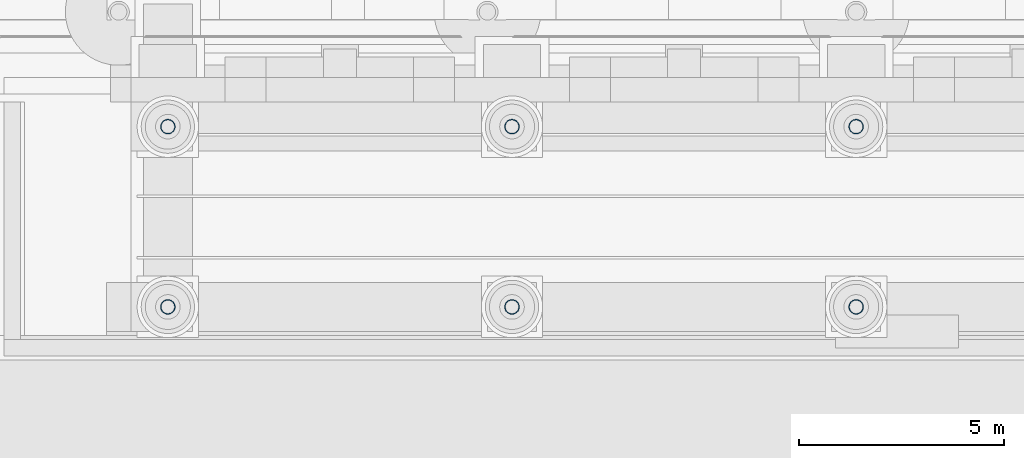
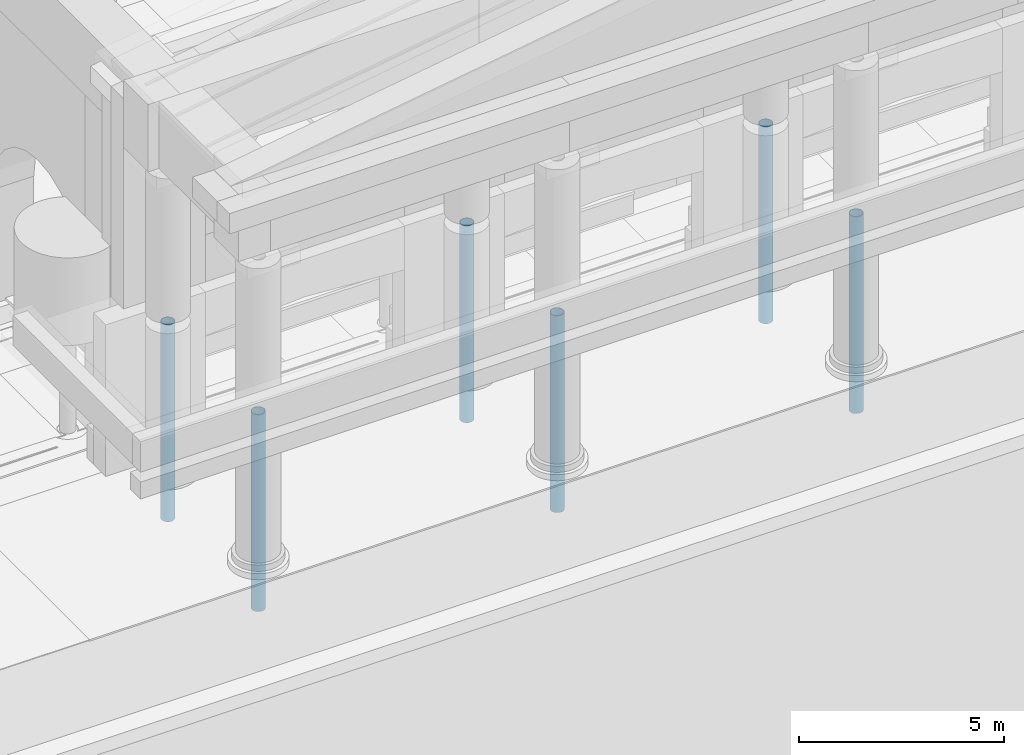
# One storey, part 8 of 222: 6 columns.
"""IFC4 building model written with IfcOpenShell, lengths in metres."""

import ifcopenshell
import ifcopenshell.guid

model = None  # the IFC model being written
_history = None  # IfcOwnerHistory: only IFC2X3 demands one
_inside = {}  # id of a spatial element -> (the spatial element, [elements in it])
_under = {}  # id of a project, library or spatial element -> (it, [spatial elements below it])
_declared = {}  # id of a project -> (the project, [libraries it declares])
_typed = {}  # id of a type object -> (the type object, [elements of that type])
_made_of = {}  # id of a material, layer set ... -> (it, [elements and type objects made of it])


def new_model(schema):
    """Start an empty IFC model of exactly this schema.

    Asked for "IFC4X3", IfcOpenShell would pick the latest addendum, in which some entities
    have other attributes; the version numbers below select the first issue.
    IFC2X3 requires an IfcOwnerHistory on every rooted entity: one is made here for all.
    """
    global model, _history
    if schema == "IFC4X3":
        model = ifcopenshell.file(schema_version=(4, 3, 0, 0))
    else:
        model = ifcopenshell.file(schema=schema)
    _inside.clear()
    _under.clear()
    _declared.clear()
    _typed.clear()
    _made_of.clear()
    _history = None
    if model.schema == "IFC2X3":
        org = make("IfcOrganization", Name="unknown")
        user = make(
            "IfcPersonAndOrganization",
            ThePerson=make("IfcPerson", FamilyName="unknown"),
            TheOrganization=org,
        )
        app = make(
            "IfcApplication",
            ApplicationDeveloper=org,
            Version="unknown",
            ApplicationFullName="unknown",
            ApplicationIdentifier="unknown",
        )
        _history = make(
            "IfcOwnerHistory",
            OwningUser=user,
            OwningApplication=app,
            ChangeAction="ADDED",
            CreationDate=0,
        )
    return model


def make(cls, **values):
    """One entity of the class cls with the attributes given. An attribute that is None is left unset."""
    return model.create_entity(
        cls, **{name: value for name, value in values.items() if value is not None}
    )


def rooted(cls, **values):
    """An entity with a GlobalId (a new one), such as an element, a storey or a relation."""
    return make(cls, GlobalId=ifcopenshell.guid.new(), OwnerHistory=_history, **values)


def si_unit(unit_type, name, prefix=None):
    """IfcSIUnit, for example si_unit("LENGTHUNIT", "METRE", prefix="MILLI")."""
    return make("IfcSIUnit", UnitType=unit_type, Prefix=prefix, Name=name)


def assignment(units):
    """IfcUnitAssignment: the units of a project."""
    return None if units is None else make("IfcUnitAssignment", Units=units)


def point(xyz):
    """IfcCartesianPoint."""
    return None if xyz is None else make("IfcCartesianPoint", Coordinates=xyz)


def direction(xyz):
    """IfcDirection."""
    return None if xyz is None else make("IfcDirection", DirectionRatios=xyz)


def frame(location, z_axis=None, x_axis=None):
    """IfcAxis2Placement3D, a coordinate frame: its origin and axes. An axis left out is left unset."""
    return make(
        "IfcAxis2Placement3D",
        Location=point(location),
        Axis=direction(z_axis),
        RefDirection=direction(x_axis),
    )


def frame_2d(location, x_axis=None):
    """IfcAxis2Placement2D, a coordinate frame in the plane: its origin and x axis."""
    return make(
        "IfcAxis2Placement2D", Location=point(location), RefDirection=direction(x_axis)
    )


def origin():
    """The frame at (0, 0, 0) with its axes left unset."""
    return frame((0.0, 0.0, 0.0))


def origin_2d():
    """The frame at (0, 0) in the plane with its x axis left unset."""
    return frame_2d((0.0, 0.0))


def place(relative_to, where):
    """IfcLocalPlacement: puts the frame where relative to a parent placement (None: the world)."""
    return make(
        "IfcLocalPlacement", PlacementRelTo=relative_to, RelativePlacement=where
    )


def context(
    kind, dimensions, precision=None, world=None, true_north=None, identifier=None
):
    """IfcGeometricRepresentationContext, for example the 3D "Model" context."""
    return make(
        "IfcGeometricRepresentationContext",
        ContextIdentifier=identifier,
        ContextType=kind,
        CoordinateSpaceDimension=dimensions,
        Precision=precision,
        WorldCoordinateSystem=world,
        TrueNorth=true_north,
    )


def subcontext(parent, identifier, kind, view, scale=None):
    """IfcGeometricRepresentationSubContext, for example "Body" below "Model"."""
    return make(
        "IfcGeometricRepresentationSubContext",
        ContextIdentifier=identifier,
        ContextType=kind,
        ParentContext=parent,
        TargetScale=scale,
        TargetView=view,
    )


def project(units=None, contexts=None):
    """IfcProject with its units and contexts."""
    return rooted(
        "IfcProject",
        Name="project",
        RepresentationContexts=contexts,
        UnitsInContext=assignment(units),
    )


def spatial(cls, under=None, at=None, **own):
    """A site, building, storey or space (cls), placed at a placement, below another one or the project."""
    s = rooted(cls, ObjectPlacement=at, **own)
    if under is not None:
        _under.setdefault(under.id(), (under, []))[1].append(s)
    return s


def profile(cls, at=None, kind="AREA", **sizes):
    """A parametric profile (cls). Its sizes go by their IFC names, for example OverallWidth=200.0."""
    return make(cls, ProfileType=kind, Position=at, **sizes)


def hollow_circle(**sizes):
    """IfcCircleHollowProfileDef."""
    return profile("IfcCircleHollowProfileDef", **sizes)


def extrude(swept, where, along, depth):
    """IfcExtrudedAreaSolid: the profile swept, set in the frame where, extruded along a direction by depth."""
    return make(
        "IfcExtrudedAreaSolid",
        SweptArea=swept,
        Position=where,
        ExtrudedDirection=direction(along),
        Depth=depth,
    )


def shape(context_of_items, identifier, shape_type, items):
    """IfcShapeRepresentation: the items that make up one representation, for example the "Body"."""
    return make(
        "IfcShapeRepresentation",
        ContextOfItems=context_of_items,
        RepresentationIdentifier=identifier,
        RepresentationType=shape_type,
        Items=items,
    )


def material(Name=None, Category=None):
    """IfcMaterial."""
    return make("IfcMaterial", Name=Name, Category=Category)


def material_profile(
    of_material, cross_section, Name=None, Category=None, Priority=None
):
    """IfcMaterialProfile: a cross section and its material."""
    return make(
        "IfcMaterialProfile",
        Name=Name,
        Material=of_material,
        Profile=cross_section,
        Priority=Priority,
        Category=Category,
    )


def profile_set(profiles, Name=None, composite=None):
    """IfcMaterialProfileSet."""
    return make(
        "IfcMaterialProfileSet",
        Name=Name,
        MaterialProfiles=profiles,
        CompositeProfile=composite,
    )


def made_of(thing, what):
    """Note that an element or type object is made of a material, layer set ...; save() writes the relation."""
    if what is not None:
        _made_of.setdefault(what.id(), (what, []))[1].append(thing)
    return thing


def type_object(cls, material=None, **own):
    """A type object (cls), such as IfcWallType, which elements share."""
    return made_of(rooted(cls, **own), material)


def element(
    cls,
    number,
    at=None,
    inside=None,
    cuts=None,
    type_object=None,
    material=None,
    context=None,
    identifier="Body",
    shape_type=None,
    held_by="IfcProductDefinitionShape",
    body=None,
    shapes=None,
    **own,
):
    """One element of the class cls, such as IfcWall. Its Tag is "e" and its number.

    at: its placement. inside: the storey or other place that contains it. cuts: it is an
    opening in that element (IfcRelVoidsElement). A single representation is given by context,
    identifier, shape_type and body (its items); several are given by shapes. held_by: the class
    of the entity that holds the representations. save() writes the other relations.
    """
    e = rooted(cls, Tag="e%d" % number, ObjectPlacement=at, **own)
    if body is not None:
        shapes = [shape(context, identifier, shape_type, body)]
    if shapes is not None:
        e.Representation = make(held_by, Representations=shapes)
    if inside is not None:
        _inside.setdefault(inside.id(), (inside, []))[1].append(e)
    if cuts is not None:
        rooted(
            "IfcRelVoidsElement", RelatingBuildingElement=cuts, RelatedOpeningElement=e
        )
    if type_object is not None:
        _typed.setdefault(type_object.id(), (type_object, []))[1].append(e)
    return made_of(e, material)


def aggregate(whole, parts):
    """IfcRelAggregates: a whole, such as a stair, and the parts it consists of."""
    return rooted("IfcRelAggregates", RelatingObject=whole, RelatedObjects=parts)


def save(model, path):
    """Write the relations noted so far, then the file.

    IfcRelAggregates (storeys below a building ...), IfcRelContainedInSpatialStructure (elements
    in a storey), IfcRelDefinesByType, IfcRelAssociatesMaterial and IfcRelDeclares: one each for
    every whole, place, type object, material and project.
    """
    for whole, parts in _under.values():
        aggregate(whole, parts)
    for where, things in _inside.values():
        rooted(
            "IfcRelContainedInSpatialStructure",
            RelatedElements=things,
            RelatingStructure=where,
        )
    for kind, things in _typed.values():
        rooted("IfcRelDefinesByType", RelatedObjects=things, RelatingType=kind)
    for what, things in _made_of.values():
        rooted("IfcRelAssociatesMaterial", RelatedObjects=things, RelatingMaterial=what)
    for by, libraries in _declared.values():
        rooted("IfcRelDeclares", RelatingContext=by, RelatedDefinitions=libraries)
    model.write(path)


model = new_model("IFC4")

# Units and contexts
model_context = context("Model", 3, precision=1e-05, world=origin(), true_north=direction((0.0, 1.0)))
body_context = subcontext(model_context, "Body", "Model", "MODEL_VIEW")
ifc_project = project(units=[si_unit("LENGTHUNIT", "METRE"), si_unit("AREAUNIT", "SQUARE_METRE"), si_unit("VOLUMEUNIT", "CUBIC_METRE"), si_unit("PLANEANGLEUNIT", "RADIAN"), si_unit("MASSUNIT", "GRAM", prefix="KILO")], contexts=[model_context])

# Site, building, storey
site_placement = place(None, origin())
site = spatial("IfcSite", under=ifc_project, at=site_placement, CompositionType="ELEMENT")
building_placement = place(site_placement, origin())
building = spatial("IfcBuilding", under=site, at=building_placement, Name="Sava Quay Ferry Terminal", CompositionType="ELEMENT")
storey_placement = place(building_placement, origin())
storey = spatial("IfcBuildingStorey", under=building, at=storey_placement, Name="L00", CompositionType="ELEMENT", Elevation=0.0)

# Columns
ifc_material = material(Name="Steel S355", Category="steel")
ifc_material_profile = material_profile(ifc_material, hollow_circle(Radius=0.177734375, WallThickness=0.012451171875, at=origin_2d()), Name="CHS 355.6 x 12.5")
ifc_profile_set = profile_set([ifc_material_profile], Name="Steel S355")
column_type = type_object("IfcColumnType", Name="Column CHS 355.6 x 12.5", PredefinedType="COLUMN", material=ifc_profile_set)
for number, where, z_axis, x_axis, name in (
    (1, (25.199951171875, -5.199951171875, -1.35009765625), (0.0, 0.0, 1.0), (1.0, 0.0, 0.0), "Porte-cochere column 25.2/-5.2"),
    (2, (33.60009765625, -5.199951171875, -1.35009765625), (0.0, 0.0, 1.0), (1.0, 0.0, 0.0), "Porte-cochere column 33.6/-5.2"),
    (3, (42.0, -5.199951171875, -1.35009765625), (0.0, 0.0, 1.0), (1.0, 0.0, 0.0), "Porte-cochere column 42/-5.2"),
    (4, (25.199951171875, -0.800048828125, -1.35009765625), (0.0, 0.0, 1.0), (1.0, 0.0, 0.0), "Porte-cochere column 25.2/-0.8"),
    (5, (33.60009765625, -0.800048828125, -1.35009765625), (0.0, 0.0, 1.0), (1.0, 0.0, 0.0), "Porte-cochere column 33.6/-0.8"),
    (6, (42.0, -0.800048828125, -1.35009765625), (0.0, 0.0, 1.0), (1.0, 0.0, 0.0), "Porte-cochere column 42/-0.8"),
):
    element("IfcColumn", number, at=place(storey_placement, frame(where, z_axis=z_axis, x_axis=x_axis)), inside=storey, type_object=column_type, Name=name, PredefinedType="COLUMN", context=body_context, shape_type="SweptSolid", body=[
        extrude(hollow_circle(Radius=0.177734375, WallThickness=0.012451171875, at=origin_2d()), origin(), (0.0, 0.0, 1.0), 5.85009765625),
    ])

save(model, "model.ifc")
